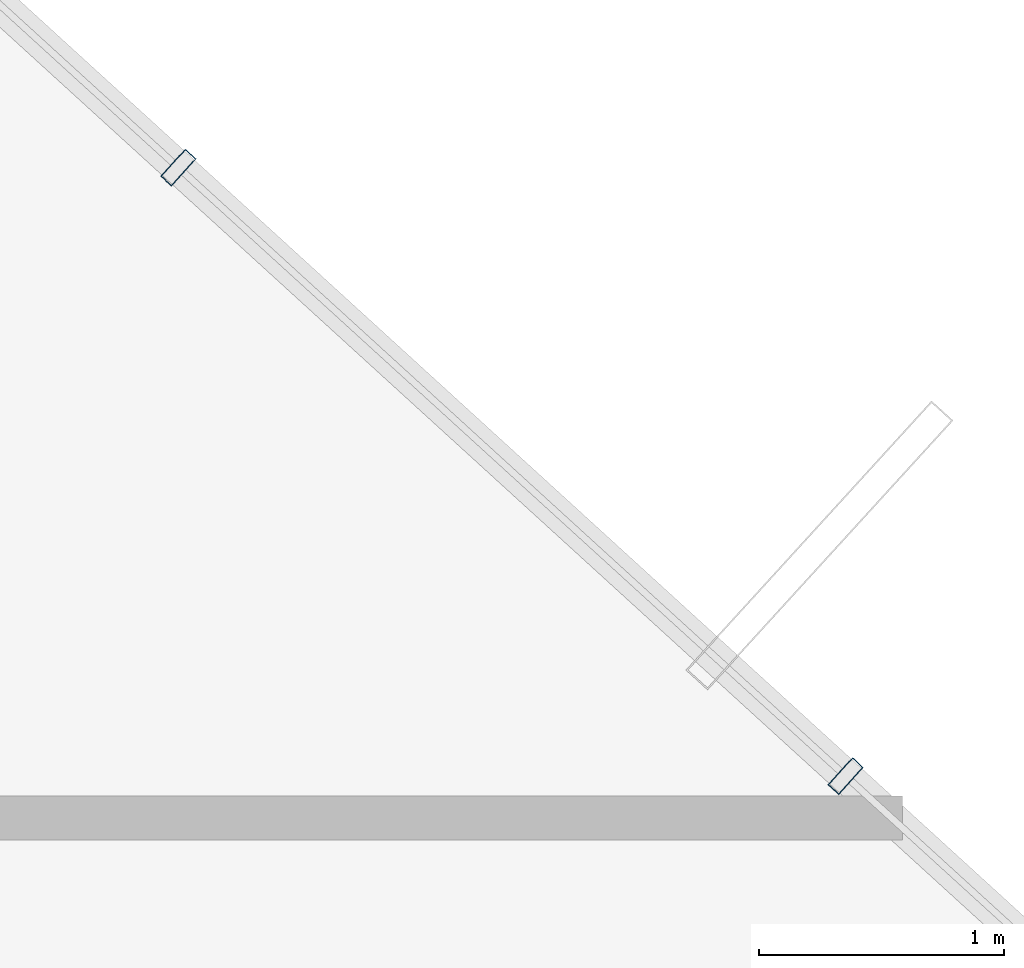
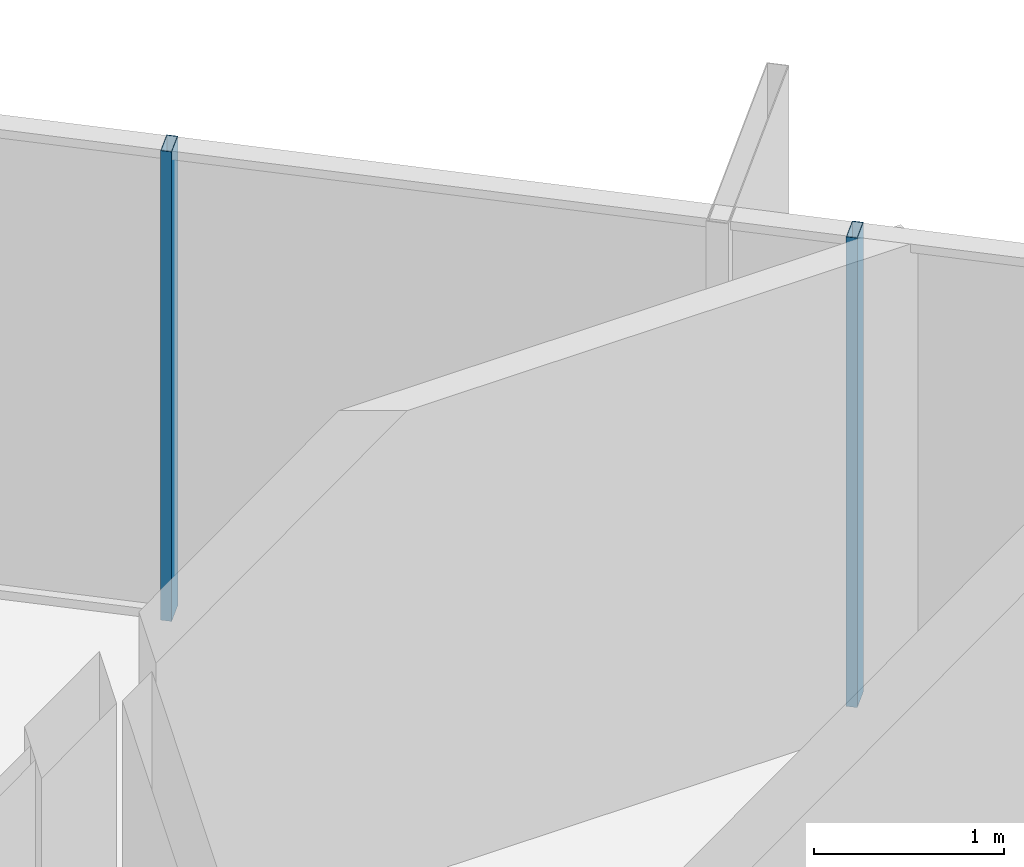
# One storey, part 15 of 28: 2 members, 1 element without a shape of its own.
"""IFC4 building model written with IfcOpenShell, lengths in metres."""

import ifcopenshell
import ifcopenshell.guid

model = None  # the IFC model being written
_history = None  # IfcOwnerHistory: only IFC2X3 demands one
_inside = {}  # id of a spatial element -> (the spatial element, [elements in it])
_under = {}  # id of a project, library or spatial element -> (it, [spatial elements below it])
_declared = {}  # id of a project -> (the project, [libraries it declares])
_typed = {}  # id of a type object -> (the type object, [elements of that type])
_made_of = {}  # id of a material, layer set ... -> (it, [elements and type objects made of it])


def new_model(schema):
    """Start an empty IFC model of exactly this schema.

    Asked for "IFC4X3", IfcOpenShell would pick the latest addendum, in which some entities
    have other attributes; the version numbers below select the first issue.
    IFC2X3 requires an IfcOwnerHistory on every rooted entity: one is made here for all.
    """
    global model, _history
    if schema == "IFC4X3":
        model = ifcopenshell.file(schema_version=(4, 3, 0, 0))
    else:
        model = ifcopenshell.file(schema=schema)
    _inside.clear()
    _under.clear()
    _declared.clear()
    _typed.clear()
    _made_of.clear()
    _history = None
    if model.schema == "IFC2X3":
        org = make("IfcOrganization", Name="unknown")
        user = make(
            "IfcPersonAndOrganization",
            ThePerson=make("IfcPerson", FamilyName="unknown"),
            TheOrganization=org,
        )
        app = make(
            "IfcApplication",
            ApplicationDeveloper=org,
            Version="unknown",
            ApplicationFullName="unknown",
            ApplicationIdentifier="unknown",
        )
        _history = make(
            "IfcOwnerHistory",
            OwningUser=user,
            OwningApplication=app,
            ChangeAction="ADDED",
            CreationDate=0,
        )
    return model


def make(cls, **values):
    """One entity of the class cls with the attributes given. An attribute that is None is left unset."""
    return model.create_entity(
        cls, **{name: value for name, value in values.items() if value is not None}
    )


def rooted(cls, **values):
    """An entity with a GlobalId (a new one), such as an element, a storey or a relation."""
    return make(cls, GlobalId=ifcopenshell.guid.new(), OwnerHistory=_history, **values)


def si_unit(unit_type, name, prefix=None):
    """IfcSIUnit, for example si_unit("LENGTHUNIT", "METRE", prefix="MILLI")."""
    return make("IfcSIUnit", UnitType=unit_type, Prefix=prefix, Name=name)


def assignment(units):
    """IfcUnitAssignment: the units of a project."""
    return None if units is None else make("IfcUnitAssignment", Units=units)


def point(xyz):
    """IfcCartesianPoint."""
    return None if xyz is None else make("IfcCartesianPoint", Coordinates=xyz)


def direction(xyz):
    """IfcDirection."""
    return None if xyz is None else make("IfcDirection", DirectionRatios=xyz)


def frame(location, z_axis=None, x_axis=None):
    """IfcAxis2Placement3D, a coordinate frame: its origin and axes. An axis left out is left unset."""
    return make(
        "IfcAxis2Placement3D",
        Location=point(location),
        Axis=direction(z_axis),
        RefDirection=direction(x_axis),
    )


def frame_2d(location, x_axis=None):
    """IfcAxis2Placement2D, a coordinate frame in the plane: its origin and x axis."""
    return make(
        "IfcAxis2Placement2D", Location=point(location), RefDirection=direction(x_axis)
    )


def origin():
    """The frame at (0, 0, 0) with its axes left unset."""
    return frame((0.0, 0.0, 0.0))


def origin_2d():
    """The frame at (0, 0) in the plane with its x axis left unset."""
    return frame_2d((0.0, 0.0))


def place(relative_to, where):
    """IfcLocalPlacement: puts the frame where relative to a parent placement (None: the world)."""
    return make(
        "IfcLocalPlacement", PlacementRelTo=relative_to, RelativePlacement=where
    )


def context(
    kind, dimensions, precision=None, world=None, true_north=None, identifier=None
):
    """IfcGeometricRepresentationContext, for example the 3D "Model" context."""
    return make(
        "IfcGeometricRepresentationContext",
        ContextIdentifier=identifier,
        ContextType=kind,
        CoordinateSpaceDimension=dimensions,
        Precision=precision,
        WorldCoordinateSystem=world,
        TrueNorth=true_north,
    )


def subcontext(parent, identifier, kind, view, scale=None):
    """IfcGeometricRepresentationSubContext, for example "Body" below "Model"."""
    return make(
        "IfcGeometricRepresentationSubContext",
        ContextIdentifier=identifier,
        ContextType=kind,
        ParentContext=parent,
        TargetScale=scale,
        TargetView=view,
    )


def project(units=None, contexts=None):
    """IfcProject with its units and contexts."""
    return rooted(
        "IfcProject",
        Name="project",
        RepresentationContexts=contexts,
        UnitsInContext=assignment(units),
    )


def spatial(cls, under=None, at=None, **own):
    """A site, building, storey or space (cls), placed at a placement, below another one or the project."""
    s = rooted(cls, ObjectPlacement=at, **own)
    if under is not None:
        _under.setdefault(under.id(), (under, []))[1].append(s)
    return s


def profile(cls, at=None, kind="AREA", **sizes):
    """A parametric profile (cls). Its sizes go by their IFC names, for example OverallWidth=200.0."""
    return make(cls, ProfileType=kind, Position=at, **sizes)


def hollow_rectangle(**sizes):
    """IfcRectangleHollowProfileDef."""
    return profile("IfcRectangleHollowProfileDef", **sizes)


def extrude(swept, where, along, depth):
    """IfcExtrudedAreaSolid: the profile swept, set in the frame where, extruded along a direction by depth."""
    return make(
        "IfcExtrudedAreaSolid",
        SweptArea=swept,
        Position=where,
        ExtrudedDirection=direction(along),
        Depth=depth,
    )


def shape(context_of_items, identifier, shape_type, items):
    """IfcShapeRepresentation: the items that make up one representation, for example the "Body"."""
    return make(
        "IfcShapeRepresentation",
        ContextOfItems=context_of_items,
        RepresentationIdentifier=identifier,
        RepresentationType=shape_type,
        Items=items,
    )


def source(mapping_origin, context_of_items, identifier, shape_type, items):
    """IfcRepresentationMap: a shape defined once, which mapped items show again and again."""
    return make(
        "IfcRepresentationMap",
        MappingOrigin=mapping_origin,
        MappedRepresentation=shape(context_of_items, identifier, shape_type, items),
    )


def transform(
    local_origin,
    x_axis=None,
    y_axis=None,
    z_axis=None,
    scale=None,
    scale2=None,
    scale3=None,
    uniform=True,
):
    """IfcCartesianTransformationOperator3D, or its non-uniform kind. x_axis, y_axis, z_axis: its Axis1, 2, 3."""
    if uniform:
        return make(
            "IfcCartesianTransformationOperator3D",
            Axis1=direction(x_axis),
            Axis2=direction(y_axis),
            LocalOrigin=point(local_origin),
            Scale=scale,
            Axis3=direction(z_axis),
        )
    return make(
        "IfcCartesianTransformationOperator3DnonUniform",
        Axis1=direction(x_axis),
        Axis2=direction(y_axis),
        LocalOrigin=point(local_origin),
        Scale=scale,
        Axis3=direction(z_axis),
        Scale2=scale2,
        Scale3=scale3,
    )


def mapped(mapping_source, mapping_target):
    """IfcMappedItem: shows the shape of a source again, moved by a transform."""
    return make(
        "IfcMappedItem", MappingSource=mapping_source, MappingTarget=mapping_target
    )


def material(Name=None, Category=None):
    """IfcMaterial."""
    return make("IfcMaterial", Name=Name, Category=Category)


def layer(
    of_material, thickness, ventilated=None, Name=None, Category=None, Priority=None
):
    """IfcMaterialLayer: one layer of a wall or slab, of a material (None: an air gap)."""
    return make(
        "IfcMaterialLayer",
        Material=of_material,
        LayerThickness=thickness,
        IsVentilated=ventilated,
        Name=Name,
        Category=Category,
        Priority=Priority,
    )


def layer_set(layers, Name=None):
    """IfcMaterialLayerSet."""
    return make("IfcMaterialLayerSet", MaterialLayers=layers, LayerSetName=Name)


def material_profile(
    of_material, cross_section, Name=None, Category=None, Priority=None
):
    """IfcMaterialProfile: a cross section and its material."""
    return make(
        "IfcMaterialProfile",
        Name=Name,
        Material=of_material,
        Profile=cross_section,
        Priority=Priority,
        Category=Category,
    )


def profile_set(profiles, Name=None, composite=None):
    """IfcMaterialProfileSet."""
    return make(
        "IfcMaterialProfileSet",
        Name=Name,
        MaterialProfiles=profiles,
        CompositeProfile=composite,
    )


def made_of(thing, what):
    """Note that an element or type object is made of a material, layer set ...; save() writes the relation."""
    if what is not None:
        _made_of.setdefault(what.id(), (what, []))[1].append(thing)
    return thing


def type_object(cls, material=None, **own):
    """A type object (cls), such as IfcWallType, which elements share."""
    return made_of(rooted(cls, **own), material)


def element(
    cls,
    number,
    at=None,
    inside=None,
    cuts=None,
    type_object=None,
    material=None,
    context=None,
    identifier="Body",
    shape_type=None,
    held_by="IfcProductDefinitionShape",
    body=None,
    shapes=None,
    **own,
):
    """One element of the class cls, such as IfcWall. Its Tag is "e" and its number.

    at: its placement. inside: the storey or other place that contains it. cuts: it is an
    opening in that element (IfcRelVoidsElement). A single representation is given by context,
    identifier, shape_type and body (its items); several are given by shapes. held_by: the class
    of the entity that holds the representations. save() writes the other relations.
    """
    e = rooted(cls, Tag="e%d" % number, ObjectPlacement=at, **own)
    if body is not None:
        shapes = [shape(context, identifier, shape_type, body)]
    if shapes is not None:
        e.Representation = make(held_by, Representations=shapes)
    if inside is not None:
        _inside.setdefault(inside.id(), (inside, []))[1].append(e)
    if cuts is not None:
        rooted(
            "IfcRelVoidsElement", RelatingBuildingElement=cuts, RelatedOpeningElement=e
        )
    if type_object is not None:
        _typed.setdefault(type_object.id(), (type_object, []))[1].append(e)
    return made_of(e, material)


def aggregate(whole, parts):
    """IfcRelAggregates: a whole, such as a stair, and the parts it consists of."""
    return rooted("IfcRelAggregates", RelatingObject=whole, RelatedObjects=parts)


def save(model, path):
    """Write the relations noted so far, then the file.

    IfcRelAggregates (storeys below a building ...), IfcRelContainedInSpatialStructure (elements
    in a storey), IfcRelDefinesByType, IfcRelAssociatesMaterial and IfcRelDeclares: one each for
    every whole, place, type object, material and project.
    """
    for whole, parts in _under.values():
        aggregate(whole, parts)
    for where, things in _inside.values():
        rooted(
            "IfcRelContainedInSpatialStructure",
            RelatedElements=things,
            RelatingStructure=where,
        )
    for kind, things in _typed.values():
        rooted("IfcRelDefinesByType", RelatedObjects=things, RelatingType=kind)
    for what, things in _made_of.values():
        rooted("IfcRelAssociatesMaterial", RelatedObjects=things, RelatingMaterial=what)
    for by, libraries in _declared.values():
        rooted("IfcRelDeclares", RelatingContext=by, RelatedDefinitions=libraries)
    model.write(path)


model = new_model("IFC4")

# Units and contexts
model_context = context("Model", 3, precision=1e-05, world=origin(), true_north=direction((0.0, 1.0)))
body_context = subcontext(model_context, "Body", "Model", "MODEL_VIEW")
ifc_project = project(units=[si_unit("LENGTHUNIT", "METRE"), si_unit("AREAUNIT", "SQUARE_METRE"), si_unit("VOLUMEUNIT", "CUBIC_METRE"), si_unit("PLANEANGLEUNIT", "RADIAN"), si_unit("MASSUNIT", "GRAM", prefix="KILO")], contexts=[model_context])

# Site, building, storey
site_placement = place(None, origin())
site = spatial("IfcSite", under=ifc_project, at=site_placement, CompositionType="ELEMENT")
building_placement = place(site_placement, origin())
building = spatial("IfcBuilding", under=site, at=building_placement, Name="Veraguas Prism Commons", CompositionType="ELEMENT")
storey_placement = place(building_placement, frame((0.0, 0.0, 251.25)))
storey = spatial("IfcBuildingStorey", under=building, at=storey_placement, Name="L71", CompositionType="ELEMENT", Elevation=251.25)

# Curtain wall, members
ifc_material = material(Name="Anodised aluminium EN AW-6063 T6", Category="aluminium")
ifc_layer = layer(ifc_material, 0.14990234375, Name="Unitised Flush Curtain Wall Zone 4", Category="aluminium")
ifc_layer_set = layer_set([ifc_layer], Name="Anodised aluminium EN AW-6063 T6")
curtain_wall_type = type_object("IfcCurtainWallType", Name="Unitised Flush Curtain Wall Zone 4", PredefinedType="NOTDEFINED", material=ifc_layer_set)
curtain_wall_placement = place(storey_placement, origin())
curtain_wall = element("IfcCurtainWall", 1, at=curtain_wall_placement, inside=storey, type_object=curtain_wall_type, Name="Tower Facade Curtain Wall L71-F1", PredefinedType="NOTDEFINED")
ifc_material_profile = material_profile(ifc_material, hollow_rectangle(XDim=0.06005859375, YDim=0.14990234375, WallThickness=0.0029296875, at=origin_2d()), Name="AL60X150X3")
ifc_profile_set = profile_set([ifc_material_profile], Name="Anodised aluminium EN AW-6063 T6")
member_type = type_object("IfcMemberType", Name="Curtain Wall Mullion Upper AL 60x150x3", PredefinedType="MULLION", material=ifc_profile_set)
shared_shape = source(origin(), body_context, "Body", "SweptSolid", [
    extrude(hollow_rectangle(XDim=0.06005859375, YDim=0.14990234375, WallThickness=0.0029296875, at=origin_2d()), origin(), (0.0, 0.0, 1.0), 3.014892578125),
])
member_1_placement = place(storey_placement, frame((37.814697265625, 33.67138671875, 0.0), z_axis=(0.0, 0.0, 1.0), x_axis=(-0.738925912503, 0.673786684219, 0.0)))
member_1 = element("IfcMember", 2, at=member_1_placement, type_object=member_type, Name="CW-Z4 Mullion 2", PredefinedType="MULLION", context=body_context, shape_type="MappedRepresentation", body=[
    mapped(shared_shape, transform((0.0, 0.0, 0.0), scale=1.0)),
])
member_2_placement = place(storey_placement, frame((35.0869140625, 36.15869140625, 0.0), z_axis=(0.0, 0.0, 1.0), x_axis=(-0.738925912503, 0.673786684219, 0.0)))
member_2 = element("IfcMember", 3, at=member_2_placement, type_object=member_type, Name="CW-Z4 Mullion 3", PredefinedType="MULLION", context=body_context, shape_type="MappedRepresentation", body=[
    mapped(shared_shape, transform((0.0, 0.0, 0.0), scale=1.0)),
])
aggregate(curtain_wall, [member_1, member_2])

save(model, "model.ifc")
